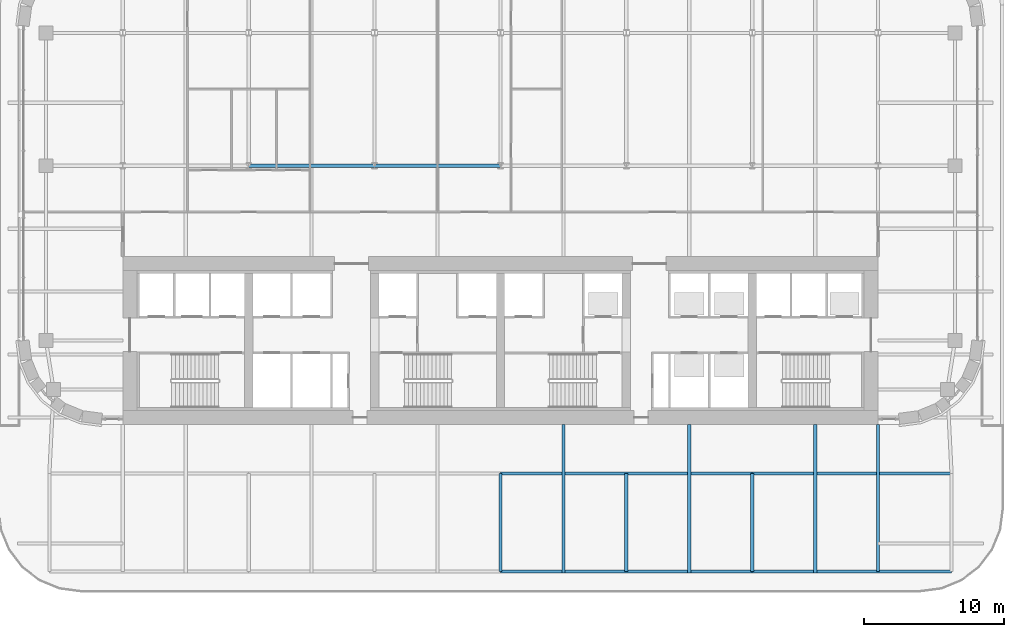
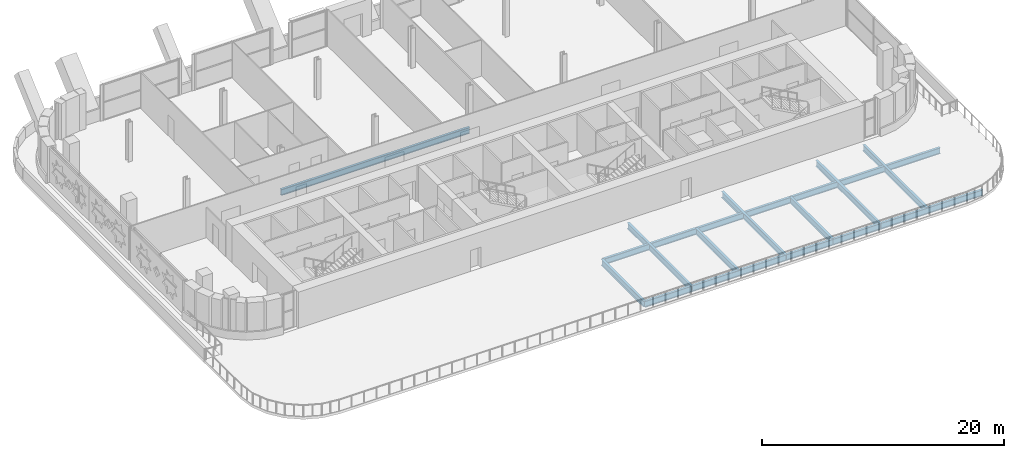
# One storey, part 5 of 26: 12 beams.
"""IFC4 building model written with IfcOpenShell, lengths in metres."""

from ifc_helpers import new_model, si_unit, direction, frame, origin, origin_2d, place, context, subcontext, project, spatial, i_section, extrude, material, material_profile, profile_set, type_object, element, save


model = new_model("IFC4")

# Units and contexts
model_context = context("Model", 3, precision=1e-05, world=origin(), true_north=direction((0.0, 1.0)))
body_context = subcontext(model_context, "Body", "Model", "MODEL_VIEW")
ifc_project = project(units=[si_unit("LENGTHUNIT", "METRE"), si_unit("AREAUNIT", "SQUARE_METRE"), si_unit("VOLUMEUNIT", "CUBIC_METRE"), si_unit("PLANEANGLEUNIT", "RADIAN"), si_unit("MASSUNIT", "GRAM", prefix="KILO")], contexts=[model_context])

# Site, building, storey
site_placement = place(None, origin())
site = spatial("IfcSite", under=ifc_project, at=site_placement, CompositionType="ELEMENT")
building_placement = place(site_placement, origin())
building = spatial("IfcBuilding", under=site, at=building_placement, Name="Zellij Exchange Tower", CompositionType="ELEMENT")
storey_placement = place(building_placement, frame((0.0, 0.0, 156.5)))
storey = spatial("IfcBuildingStorey", under=building, at=storey_placement, Name="L35", CompositionType="ELEMENT", Elevation=156.5)

# Beams
ifc_material = material(Name="Structural steel ASTM A992 Gr 50", Category="steel")
ifc_material_profile_1 = material_profile(ifc_material, i_section(OverallWidth=0.227783203125, OverallDepth=0.60205078125, WebThickness=0.010498046875, FlangeThickness=0.014892578125, at=origin_2d()), Name="W24x68")
ifc_profile_set_1 = profile_set([ifc_material_profile_1], Name="Structural steel ASTM A992 Gr 50")
beam_type_1 = type_object("IfcBeamType", Name="STR-BEAM W24x68", PredefinedType="BEAM", material=ifc_profile_set_1)
for number, where, z_axis, x_axis, name in (
    (1, (4.5, -24.614501953125, -0.60107421875), (0.0, 1.0, 0.0), (-1.0, 0.0, 0.0), "B5"),
    (2, (13.5, -24.614501953125, -0.60107421875), (0.0, 1.0, 0.0), (-1.0, 0.0, 0.0), "B5"),
    (3, (22.5, -24.614501953125, -0.60107421875), (0.0, 1.0, 0.0), (-1.0, 0.0, 0.0), "B5"),
):
    element("IfcBeam", number, at=place(storey_placement, frame(where, z_axis=z_axis, x_axis=x_axis)), inside=storey, type_object=beam_type_1, Name=name, PredefinedType="BEAM", context=body_context, shape_type="SweptSolid", body=[
        extrude(i_section(OverallWidth=0.227783203125, OverallDepth=0.60205078125, WebThickness=0.010498046875, FlangeThickness=0.014892578125, at=origin_2d()), origin(), (0.0, 0.0, 1.0), 10.614501953125),
    ])
ifc_material_profile_2 = material_profile(ifc_material, i_section(OverallWidth=0.22900390625, OverallDepth=0.612060546875, WebThickness=0.011962890625, FlangeThickness=0.01953125, at=origin_2d()), Name="W24x84")
ifc_profile_set_2 = profile_set([ifc_material_profile_2], Name="Structural steel ASTM A992 Gr 50")
beam_type_2 = type_object("IfcBeamType", Name="STR-GIRDER W24x84", PredefinedType="BEAM", material=ifc_profile_set_2)
beam_1_placement = place(storey_placement, frame((0.0, -24.5, -0.606201171875), z_axis=(1.0, 0.0, 0.0), x_axis=(0.0, 1.0, 0.0)))
element("IfcBeam", 4, at=beam_1_placement, inside=storey, type_object=beam_type_2, Name="G4", PredefinedType="BEAM", context=body_context, shape_type="SweptSolid", body=[
    extrude(i_section(OverallWidth=0.22900390625, OverallDepth=0.612060546875, WebThickness=0.011962890625, FlangeThickness=0.01953125, at=origin_2d()), origin(), (0.0, 0.0, 1.0), 18.0),
])
beam_2_placement = place(storey_placement, frame((18.0, -24.5, -0.606201171875), z_axis=(1.0, 0.0, 0.0), x_axis=(0.0, 1.0, 0.0)))
element("IfcBeam", 5, at=beam_2_placement, inside=storey, type_object=beam_type_2, Name="G4", PredefinedType="BEAM", context=body_context, shape_type="SweptSolid", body=[
    extrude(i_section(OverallWidth=0.22900390625, OverallDepth=0.612060546875, WebThickness=0.011962890625, FlangeThickness=0.01953125, at=origin_2d()), origin(), (0.0, 0.0, 1.0), 14.25),
])
beam_3_placement = place(storey_placement, frame((0.0, -17.5, -0.606201171875), z_axis=(1.0, 0.0, 0.0), x_axis=(0.0, 1.0, 0.0)))
element("IfcBeam", 6, at=beam_3_placement, inside=storey, type_object=beam_type_2, Name="G4", PredefinedType="BEAM", context=body_context, shape_type="SweptSolid", body=[
    extrude(i_section(OverallWidth=0.22900390625, OverallDepth=0.612060546875, WebThickness=0.011962890625, FlangeThickness=0.01953125, at=origin_2d()), origin(), (0.0, 0.0, 1.0), 18.0),
])
beam_4_placement = place(storey_placement, frame((18.0, -17.5, -0.606201171875), z_axis=(1.0, 0.0, 0.0), x_axis=(0.0, 1.0, 0.0)))
element("IfcBeam", 7, at=beam_4_placement, inside=storey, type_object=beam_type_2, Name="G4", PredefinedType="BEAM", context=body_context, shape_type="SweptSolid", body=[
    extrude(i_section(OverallWidth=0.22900390625, OverallDepth=0.612060546875, WebThickness=0.011962890625, FlangeThickness=0.01953125, at=origin_2d()), origin(), (0.0, 0.0, 1.0), 14.25),
])
beam_5_placement = place(storey_placement, frame((-18.0, 4.5, -0.606201171875), z_axis=(1.0, 0.0, 0.0), x_axis=(0.0, 1.0, 0.0)))
element("IfcBeam", 8, at=beam_5_placement, inside=storey, type_object=beam_type_2, Name="G4", PredefinedType="BEAM", context=body_context, shape_type="SweptSolid", body=[
    extrude(i_section(OverallWidth=0.22900390625, OverallDepth=0.612060546875, WebThickness=0.011962890625, FlangeThickness=0.01953125, at=origin_2d()), origin(), (0.0, 0.0, 1.0), 18.0),
])
for number, where, z_axis, x_axis, name in (
    (9, (0.0, -24.5, -0.606201171875), (0.0, 1.0, 0.0), (-1.0, 0.0, 0.0), "G4"),
    (10, (9.0, -24.5, -0.606201171875), (0.0, 1.0, 0.0), (-1.0, 0.0, 0.0), "G4"),
    (11, (18.0, -24.5, -0.606201171875), (0.0, 1.0, 0.0), (-1.0, 0.0, 0.0), "G4"),
):
    element("IfcBeam", number, at=place(storey_placement, frame(where, z_axis=z_axis, x_axis=x_axis)), inside=storey, type_object=beam_type_2, Name=name, PredefinedType="BEAM", context=body_context, shape_type="SweptSolid", body=[
        extrude(i_section(OverallWidth=0.22900390625, OverallDepth=0.612060546875, WebThickness=0.011962890625, FlangeThickness=0.01953125, at=origin_2d()), origin(), (0.0, 0.0, 1.0), 7.0),
    ])
beam_6_placement = place(storey_placement, frame((27.0, -24.5, -0.606201171875), z_axis=(0.0, 1.0, 0.0), x_axis=(-1.0, 0.0, 0.0)))
element("IfcBeam", 12, at=beam_6_placement, inside=storey, type_object=beam_type_2, Name="G4", PredefinedType="BEAM", context=body_context, shape_type="SweptSolid", body=[
    extrude(i_section(OverallWidth=0.22900390625, OverallDepth=0.612060546875, WebThickness=0.011962890625, FlangeThickness=0.01953125, at=origin_2d()), origin(), (0.0, 0.0, 1.0), 10.5),
])

save(model, "model.ifc")
